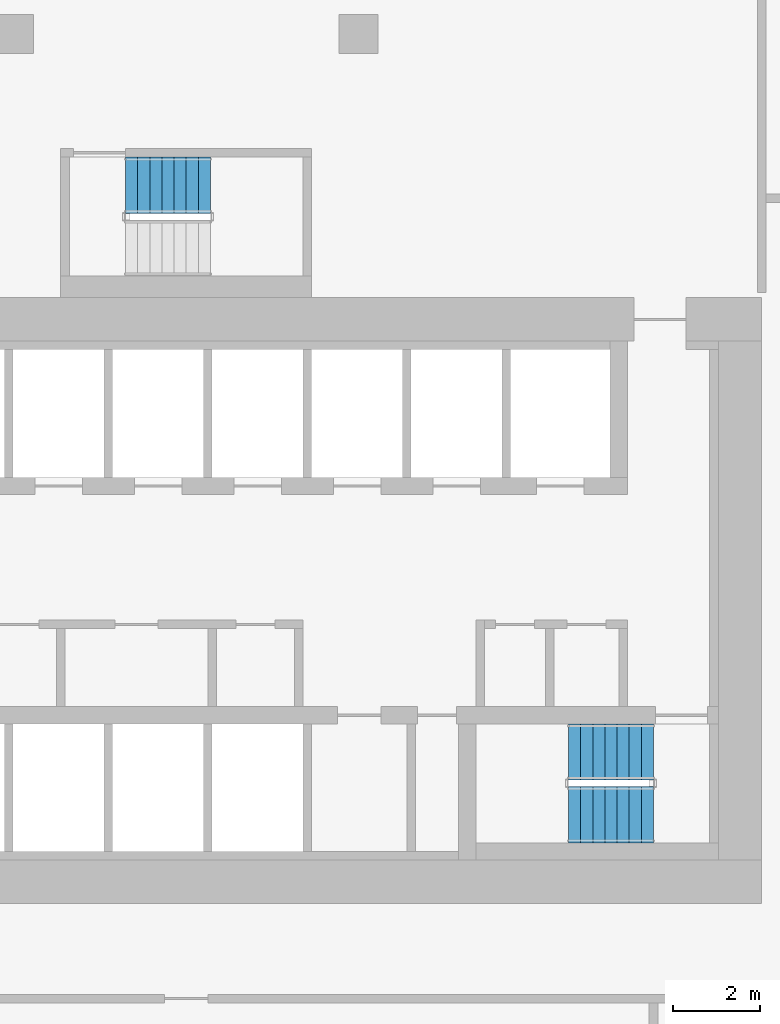
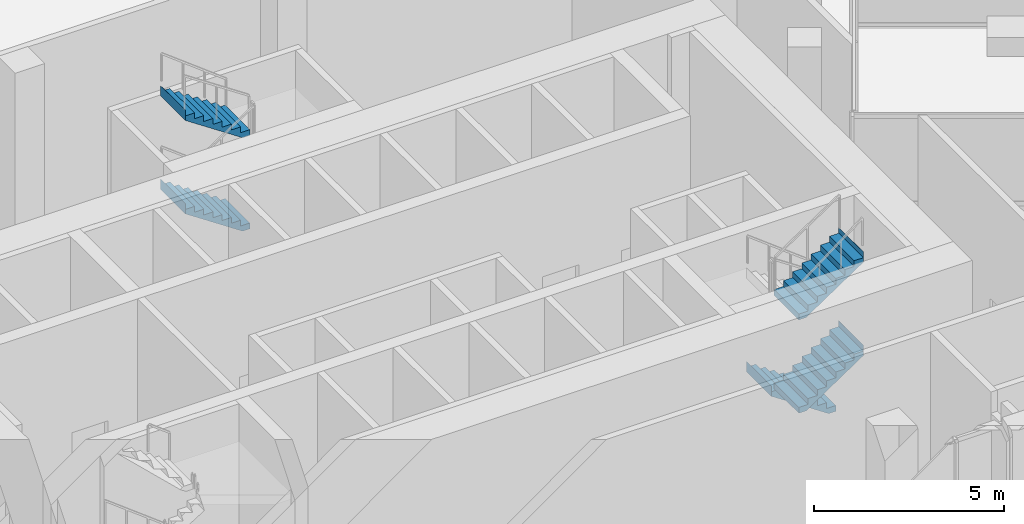
# One storey, part 17 of 23: 5 stair flights, 2 elements without a shape of their own.
"""IFC4 building model written with IfcOpenShell, lengths in metres."""

from ifc_helpers import new_model, si_unit, direction, frame, origin, place, context, subcontext, project, spatial, triangles, material, type_object, element, aggregate, save


model = new_model("IFC4")

# Units and contexts
model_context = context("Model", 3, precision=1e-05, world=origin(), true_north=direction((0.0, 1.0)))
body_context = subcontext(model_context, "Body", "Model", "MODEL_VIEW")
ifc_project = project(units=[si_unit("LENGTHUNIT", "METRE"), si_unit("AREAUNIT", "SQUARE_METRE"), si_unit("VOLUMEUNIT", "CUBIC_METRE"), si_unit("PLANEANGLEUNIT", "RADIAN"), si_unit("MASSUNIT", "GRAM", prefix="KILO")], contexts=[model_context])

# Site, building, storey
site_placement = place(None, origin())
site = spatial("IfcSite", under=ifc_project, at=site_placement, CompositionType="ELEMENT")
building_placement = place(site_placement, origin())
building = spatial("IfcBuilding", under=site, at=building_placement, Name="Beryl Residences", CompositionType="ELEMENT")
storey_placement = place(building_placement, frame((0.0, 0.0, 66.0)))
storey = spatial("IfcBuildingStorey", under=building, at=storey_placement, Name="L20", CompositionType="ELEMENT", Elevation=66.0)

# Stair, stair flights
ifc_material_1 = material(Name="Concrete C40/50", Category="concrete")
stair_type = type_object("IfcStairType", Name="ST1 protected exit stair, half-turn, 1300 mm flights", PredefinedType="HALF_TURN_STAIR", material=ifc_material_1)
stair_1_placement = place(storey_placement, origin())
stair_1 = element("IfcStair", 1, at=stair_1_placement, inside=storey, type_object=stair_type, Name="L20 PROTECTED EXIT STAIR ST-3", PredefinedType="HALF_TURN_STAIR")
ifc_material_2 = material(Name="Concrete C40/50", Category="concrete")
stair_flight_type = type_object("IfcStairFlightType", Name="SF1 stair flight 1300 mm", PredefinedType="STRAIGHT", material=ifc_material_2)
stair_flight_1_placement = place(storey_placement, frame((10.800048828125, -15.5, 0.0), z_axis=(0.0, 0.0, 1.0), x_axis=(-1.0, 0.0, 0.0)))
stair_flight_1 = element("IfcStairFlight", 2, at=stair_flight_1_placement, type_object=stair_flight_type, Name="ST-3 flight 1", NumberOfRisers=8, NumberOfTreads=7, PredefinedType="STRAIGHT", RiserHeight=0.1875, TreadLength=0.28, context=body_context, shape_type="Tessellation", body=[
    triangles([(0.0, -0.64990234375, 0.0), (0.0, -0.324951171875, 0.0), (0.0, 0.0, 0.0), (0.0, 0.324951171875, 0.0), (0.0, 0.64990234375, 0.0), (0.0, -0.64990234375, 0.1875), (0.0, -0.324951171875, 0.1875), (0.0, 0.0, 0.1875), (0.0, 0.324951171875, 0.1875), (0.0, 0.64990234375, 0.1875), (0.280029296875, -0.64990234375, 0.1875), (0.280029296875, -0.324951171875, 0.1875), (0.280029296875, 0.0, 0.1875), (0.280029296875, 0.324951171875, 0.1875), (0.280029296875, 0.64990234375, 0.1875), (0.280029296875, -0.64990234375, 0.375), (0.280029296875, -0.324951171875, 0.375), (0.280029296875, 0.0, 0.375), (0.280029296875, 0.324951171875, 0.375), (0.280029296875, 0.64990234375, 0.375), (0.56005859375, -0.64990234375, 0.375), (0.56005859375, -0.324951171875, 0.375), (0.56005859375, 0.0, 0.375), (0.56005859375, 0.324951171875, 0.375), (0.56005859375, 0.64990234375, 0.375), (0.56005859375, -0.64990234375, 0.5625), (0.56005859375, -0.324951171875, 0.5625), (0.56005859375, 0.0, 0.5625), (0.56005859375, 0.324951171875, 0.5625), (0.56005859375, 0.64990234375, 0.5625), (0.840087890625, -0.64990234375, 0.5625), (0.840087890625, -0.324951171875, 0.5625), (0.840087890625, 0.0, 0.5625), (0.840087890625, 0.324951171875, 0.5625), (0.840087890625, 0.64990234375, 0.5625), (0.840087890625, -0.64990234375, 0.75), (0.840087890625, -0.324951171875, 0.75), (0.840087890625, 0.0, 0.75), (0.840087890625, 0.324951171875, 0.75), (0.840087890625, 0.64990234375, 0.75), (1.1201171875, -0.64990234375, 0.75), (1.1201171875, -0.324951171875, 0.75), (1.1201171875, 0.0, 0.75), (1.1201171875, 0.324951171875, 0.75), (1.1201171875, 0.64990234375, 0.75), (1.1201171875, -0.64990234375, 0.9375), (1.1201171875, -0.324951171875, 0.9375), (1.1201171875, 0.0, 0.9375), (1.1201171875, 0.324951171875, 0.9375), (1.1201171875, 0.64990234375, 0.9375), (1.39990234375, -0.64990234375, 0.9375), (1.39990234375, -0.324951171875, 0.9375), (1.39990234375, 0.0, 0.9375), (1.39990234375, 0.324951171875, 0.9375), (1.39990234375, 0.64990234375, 0.9375), (1.39990234375, -0.64990234375, 1.125), (1.39990234375, -0.324951171875, 1.125), (1.39990234375, 0.0, 1.125), (1.39990234375, 0.324951171875, 1.125), (1.39990234375, 0.64990234375, 1.125), (1.679931640625, -0.64990234375, 1.125), (1.679931640625, -0.324951171875, 1.125), (1.679931640625, 0.0, 1.125), (1.679931640625, 0.324951171875, 1.125), (1.679931640625, 0.64990234375, 1.125), (1.679931640625, -0.64990234375, 1.3125), (1.679931640625, -0.324951171875, 1.3125), (1.679931640625, 0.0, 1.3125), (1.679931640625, 0.324951171875, 1.3125), (1.679931640625, 0.64990234375, 1.3125), (1.9599609375, -0.64990234375, 1.3125), (1.9599609375, -0.324951171875, 1.3125), (1.9599609375, 0.0, 1.3125), (1.9599609375, 0.324951171875, 1.3125), (1.9599609375, 0.64990234375, 1.3125), (1.9599609375, -0.64990234375, 1.5), (1.9599609375, -0.324951171875, 1.5), (1.9599609375, 0.0, 1.5), (1.9599609375, 0.324951171875, 1.5), (1.9599609375, 0.64990234375, 1.5), (1.9609375, -0.64990234375, 1.5), (1.9609375, -0.324951171875, 1.5), (1.9609375, 0.0, 1.5), (1.9609375, 0.324951171875, 1.5), (1.9609375, 0.64990234375, 1.5), (1.9609375, -0.64990234375, 1.16796875), (1.9609375, -0.324951171875, 1.16796875), (1.9609375, 0.0, 1.16796875), (1.9609375, 0.324951171875, 1.16796875), (1.9609375, 0.64990234375, 1.16796875), (0.216796875, -0.64990234375, 0.0), (0.216796875, -0.324951171875, 0.0), (0.216796875, 0.0, 0.0), (0.216796875, 0.324951171875, 0.0), (0.216796875, 0.64990234375, 0.0)], [[1, 6, 7], [1, 7, 2], [2, 7, 8], [2, 8, 3], [3, 8, 9], [3, 9, 4], [4, 9, 10], [4, 10, 5], [6, 11, 12], [6, 12, 7], [7, 12, 13], [7, 13, 8], [8, 13, 14], [8, 14, 9], [9, 14, 15], [9, 15, 10], [11, 16, 17], [11, 17, 12], [12, 17, 18], [12, 18, 13], [13, 18, 19], [13, 19, 14], [14, 19, 20], [14, 20, 15], [16, 21, 22], [16, 22, 17], [17, 22, 23], [17, 23, 18], [18, 23, 24], [18, 24, 19], [19, 24, 25], [19, 25, 20], [21, 26, 27], [21, 27, 22], [22, 27, 28], [22, 28, 23], [23, 28, 29], [23, 29, 24], [24, 29, 30], [24, 30, 25], [26, 31, 32], [26, 32, 27], [27, 32, 33], [27, 33, 28], [28, 33, 34], [28, 34, 29], [29, 34, 35], [29, 35, 30], [31, 36, 37], [31, 37, 32], [32, 37, 38], [32, 38, 33], [33, 38, 39], [33, 39, 34], [34, 39, 40], [34, 40, 35], [36, 41, 42], [36, 42, 37], [37, 42, 43], [37, 43, 38], [38, 43, 44], [38, 44, 39], [39, 44, 45], [39, 45, 40], [41, 46, 47], [41, 47, 42], [42, 47, 48], [42, 48, 43], [43, 48, 49], [43, 49, 44], [44, 49, 50], [44, 50, 45], [46, 51, 52], [46, 52, 47], [47, 52, 53], [47, 53, 48], [48, 53, 54], [48, 54, 49], [49, 54, 55], [49, 55, 50], [51, 56, 57], [51, 57, 52], [52, 57, 58], [52, 58, 53], [53, 58, 59], [53, 59, 54], [54, 59, 60], [54, 60, 55], [56, 61, 62], [56, 62, 57], [57, 62, 63], [57, 63, 58], [58, 63, 64], [58, 64, 59], [59, 64, 65], [59, 65, 60], [61, 66, 67], [61, 67, 62], [62, 67, 68], [62, 68, 63], [63, 68, 69], [63, 69, 64], [64, 69, 70], [64, 70, 65], [66, 71, 72], [66, 72, 67], [67, 72, 73], [67, 73, 68], [68, 73, 74], [68, 74, 69], [69, 74, 75], [69, 75, 70], [71, 76, 77], [71, 77, 72], [72, 77, 78], [72, 78, 73], [73, 78, 79], [73, 79, 74], [74, 79, 80], [74, 80, 75], [76, 81, 82], [76, 82, 77], [77, 82, 83], [77, 83, 78], [78, 83, 84], [78, 84, 79], [79, 84, 85], [79, 85, 80], [81, 86, 87], [81, 87, 82], [82, 87, 88], [82, 88, 83], [83, 88, 89], [83, 89, 84], [84, 89, 90], [84, 90, 85], [86, 91, 92], [86, 92, 87], [87, 92, 93], [87, 93, 88], [88, 93, 94], [88, 94, 89], [89, 94, 95], [89, 95, 90], [91, 1, 2], [91, 2, 92], [92, 2, 3], [92, 3, 93], [93, 3, 4], [93, 4, 94], [94, 4, 5], [94, 5, 95], [1, 91, 86], [5, 90, 95], [86, 81, 76], [90, 80, 85], [86, 76, 71], [90, 75, 80], [86, 71, 66], [90, 70, 75], [86, 66, 61], [90, 65, 70], [61, 56, 51], [65, 55, 60], [86, 61, 51], [90, 55, 65], [51, 46, 41], [55, 45, 50], [86, 51, 41], [90, 45, 55], [41, 36, 31], [45, 35, 40], [86, 41, 31], [90, 35, 45], [31, 26, 21], [35, 25, 30], [86, 31, 21], [90, 25, 35], [21, 16, 11], [25, 15, 20], [86, 21, 11], [90, 15, 25], [1, 86, 11], [5, 15, 90], [11, 6, 1], [15, 5, 10]], closed=True),
])
stair_flight_2_placement = place(storey_placement, frame((8.840087890625, -16.949951171875, 1.5), z_axis=(0.0, 0.0, 1.0), x_axis=(1.0, 0.0, 0.0)))
stair_flight_2 = element("IfcStairFlight", 3, at=stair_flight_2_placement, type_object=stair_flight_type, Name="ST-3 flight 2", NumberOfRisers=8, NumberOfTreads=7, PredefinedType="STRAIGHT", RiserHeight=0.1875, TreadLength=0.28, context=body_context, shape_type="Tessellation", body=[
    triangles([(0.0, -0.64990234375, 0.0), (0.0, -0.324951171875, 0.0), (0.0, 0.0, 0.0), (0.0, 0.324951171875, 0.0), (0.0, 0.64990234375, 0.0), (0.0, -0.64990234375, 0.1875), (0.0, -0.324951171875, 0.1875), (0.0, 0.0, 0.1875), (0.0, 0.324951171875, 0.1875), (0.0, 0.64990234375, 0.1875), (0.280029296875, -0.64990234375, 0.1875), (0.280029296875, -0.324951171875, 0.1875), (0.280029296875, 0.0, 0.1875), (0.280029296875, 0.324951171875, 0.1875), (0.280029296875, 0.64990234375, 0.1875), (0.280029296875, -0.64990234375, 0.375), (0.280029296875, -0.324951171875, 0.375), (0.280029296875, 0.0, 0.375), (0.280029296875, 0.324951171875, 0.375), (0.280029296875, 0.64990234375, 0.375), (0.56005859375, -0.64990234375, 0.375), (0.56005859375, -0.324951171875, 0.375), (0.56005859375, 0.0, 0.375), (0.56005859375, 0.324951171875, 0.375), (0.56005859375, 0.64990234375, 0.375), (0.56005859375, -0.64990234375, 0.5625), (0.56005859375, -0.324951171875, 0.5625), (0.56005859375, 0.0, 0.5625), (0.56005859375, 0.324951171875, 0.5625), (0.56005859375, 0.64990234375, 0.5625), (0.840087890625, -0.64990234375, 0.5625), (0.840087890625, -0.324951171875, 0.5625), (0.840087890625, 0.0, 0.5625), (0.840087890625, 0.324951171875, 0.5625), (0.840087890625, 0.64990234375, 0.5625), (0.840087890625, -0.64990234375, 0.75), (0.840087890625, -0.324951171875, 0.75), (0.840087890625, 0.0, 0.75), (0.840087890625, 0.324951171875, 0.75), (0.840087890625, 0.64990234375, 0.75), (1.1201171875, -0.64990234375, 0.75), (1.1201171875, -0.324951171875, 0.75), (1.1201171875, 0.0, 0.75), (1.1201171875, 0.324951171875, 0.75), (1.1201171875, 0.64990234375, 0.75), (1.1201171875, -0.64990234375, 0.9375), (1.1201171875, -0.324951171875, 0.9375), (1.1201171875, 0.0, 0.9375), (1.1201171875, 0.324951171875, 0.9375), (1.1201171875, 0.64990234375, 0.9375), (1.39990234375, -0.64990234375, 0.9375), (1.39990234375, -0.324951171875, 0.9375), (1.39990234375, 0.0, 0.9375), (1.39990234375, 0.324951171875, 0.9375), (1.39990234375, 0.64990234375, 0.9375), (1.39990234375, -0.64990234375, 1.125), (1.39990234375, -0.324951171875, 1.125), (1.39990234375, 0.0, 1.125), (1.39990234375, 0.324951171875, 1.125), (1.39990234375, 0.64990234375, 1.125), (1.679931640625, -0.64990234375, 1.125), (1.679931640625, -0.324951171875, 1.125), (1.679931640625, 0.0, 1.125), (1.679931640625, 0.324951171875, 1.125), (1.679931640625, 0.64990234375, 1.125), (1.679931640625, -0.64990234375, 1.3125), (1.679931640625, -0.324951171875, 1.3125), (1.679931640625, 0.0, 1.3125), (1.679931640625, 0.324951171875, 1.3125), (1.679931640625, 0.64990234375, 1.3125), (1.9599609375, -0.64990234375, 1.3125), (1.9599609375, -0.324951171875, 1.3125), (1.9599609375, 0.0, 1.3125), (1.9599609375, 0.324951171875, 1.3125), (1.9599609375, 0.64990234375, 1.3125), (1.9599609375, -0.64990234375, 1.5), (1.9599609375, -0.324951171875, 1.5), (1.9599609375, 0.0, 1.5), (1.9599609375, 0.324951171875, 1.5), (1.9599609375, 0.64990234375, 1.5), (1.9609375, -0.64990234375, 1.5), (1.9609375, -0.324951171875, 1.5), (1.9609375, 0.0, 1.5), (1.9609375, 0.324951171875, 1.5), (1.9609375, 0.64990234375, 1.5), (1.9609375, -0.64990234375, 1.16796875), (1.9609375, -0.324951171875, 1.16796875), (1.9609375, 0.0, 1.16796875), (1.9609375, 0.324951171875, 1.16796875), (1.9609375, 0.64990234375, 1.16796875), (0.216796875, -0.64990234375, 0.0), (0.216796875, -0.324951171875, 0.0), (0.216796875, 0.0, 0.0), (0.216796875, 0.324951171875, 0.0), (0.216796875, 0.64990234375, 0.0)], [[1, 6, 7], [1, 7, 2], [2, 7, 8], [2, 8, 3], [3, 8, 9], [3, 9, 4], [4, 9, 10], [4, 10, 5], [6, 11, 12], [6, 12, 7], [7, 12, 13], [7, 13, 8], [8, 13, 14], [8, 14, 9], [9, 14, 15], [9, 15, 10], [11, 16, 17], [11, 17, 12], [12, 17, 18], [12, 18, 13], [13, 18, 19], [13, 19, 14], [14, 19, 20], [14, 20, 15], [16, 21, 22], [16, 22, 17], [17, 22, 23], [17, 23, 18], [18, 23, 24], [18, 24, 19], [19, 24, 25], [19, 25, 20], [21, 26, 27], [21, 27, 22], [22, 27, 28], [22, 28, 23], [23, 28, 29], [23, 29, 24], [24, 29, 30], [24, 30, 25], [26, 31, 32], [26, 32, 27], [27, 32, 33], [27, 33, 28], [28, 33, 34], [28, 34, 29], [29, 34, 35], [29, 35, 30], [31, 36, 37], [31, 37, 32], [32, 37, 38], [32, 38, 33], [33, 38, 39], [33, 39, 34], [34, 39, 40], [34, 40, 35], [36, 41, 42], [36, 42, 37], [37, 42, 43], [37, 43, 38], [38, 43, 44], [38, 44, 39], [39, 44, 45], [39, 45, 40], [41, 46, 47], [41, 47, 42], [42, 47, 48], [42, 48, 43], [43, 48, 49], [43, 49, 44], [44, 49, 50], [44, 50, 45], [46, 51, 52], [46, 52, 47], [47, 52, 53], [47, 53, 48], [48, 53, 54], [48, 54, 49], [49, 54, 55], [49, 55, 50], [51, 56, 57], [51, 57, 52], [52, 57, 58], [52, 58, 53], [53, 58, 59], [53, 59, 54], [54, 59, 60], [54, 60, 55], [56, 61, 62], [56, 62, 57], [57, 62, 63], [57, 63, 58], [58, 63, 64], [58, 64, 59], [59, 64, 65], [59, 65, 60], [61, 66, 67], [61, 67, 62], [62, 67, 68], [62, 68, 63], [63, 68, 69], [63, 69, 64], [64, 69, 70], [64, 70, 65], [66, 71, 72], [66, 72, 67], [67, 72, 73], [67, 73, 68], [68, 73, 74], [68, 74, 69], [69, 74, 75], [69, 75, 70], [71, 76, 77], [71, 77, 72], [72, 77, 78], [72, 78, 73], [73, 78, 79], [73, 79, 74], [74, 79, 80], [74, 80, 75], [76, 81, 82], [76, 82, 77], [77, 82, 83], [77, 83, 78], [78, 83, 84], [78, 84, 79], [79, 84, 85], [79, 85, 80], [81, 86, 87], [81, 87, 82], [82, 87, 88], [82, 88, 83], [83, 88, 89], [83, 89, 84], [84, 89, 90], [84, 90, 85], [86, 91, 92], [86, 92, 87], [87, 92, 93], [87, 93, 88], [88, 93, 94], [88, 94, 89], [89, 94, 95], [89, 95, 90], [91, 1, 2], [91, 2, 92], [92, 2, 3], [92, 3, 93], [93, 3, 4], [93, 4, 94], [94, 4, 5], [94, 5, 95], [1, 91, 86], [5, 90, 95], [86, 81, 76], [90, 80, 85], [86, 76, 71], [90, 75, 80], [86, 71, 66], [90, 70, 75], [86, 66, 61], [90, 65, 70], [61, 56, 51], [65, 55, 60], [86, 61, 51], [90, 55, 65], [51, 46, 41], [55, 45, 50], [86, 51, 41], [90, 45, 55], [41, 36, 31], [45, 35, 40], [86, 41, 31], [90, 35, 45], [31, 26, 21], [35, 25, 30], [86, 31, 21], [90, 25, 35], [21, 16, 11], [25, 15, 20], [86, 21, 11], [90, 15, 25], [1, 86, 11], [5, 15, 90], [11, 6, 1], [15, 5, 10]], closed=True),
])
stair_flight_3_placement = place(storey_placement, frame((8.840087890625, -16.949951171875, 4.5), z_axis=(0.0, 0.0, 1.0), x_axis=(1.0, 0.0, 0.0)))
stair_flight_3 = element("IfcStairFlight", 4, at=stair_flight_3_placement, type_object=stair_flight_type, Name="ST-3 flight 4", NumberOfRisers=8, NumberOfTreads=7, PredefinedType="STRAIGHT", RiserHeight=0.1875, TreadLength=0.28, context=body_context, shape_type="Tessellation", body=[
    triangles([(0.0, -0.64990234375, 0.0), (0.0, -0.324951171875, 0.0), (0.0, 0.0, 0.0), (0.0, 0.324951171875, 0.0), (0.0, 0.64990234375, 0.0), (0.0, -0.64990234375, 0.1875), (0.0, -0.324951171875, 0.1875), (0.0, 0.0, 0.1875), (0.0, 0.324951171875, 0.1875), (0.0, 0.64990234375, 0.1875), (0.280029296875, -0.64990234375, 0.1875), (0.280029296875, -0.324951171875, 0.1875), (0.280029296875, 0.0, 0.1875), (0.280029296875, 0.324951171875, 0.1875), (0.280029296875, 0.64990234375, 0.1875), (0.280029296875, -0.64990234375, 0.375), (0.280029296875, -0.324951171875, 0.375), (0.280029296875, 0.0, 0.375), (0.280029296875, 0.324951171875, 0.375), (0.280029296875, 0.64990234375, 0.375), (0.56005859375, -0.64990234375, 0.375), (0.56005859375, -0.324951171875, 0.375), (0.56005859375, 0.0, 0.375), (0.56005859375, 0.324951171875, 0.375), (0.56005859375, 0.64990234375, 0.375), (0.56005859375, -0.64990234375, 0.5625), (0.56005859375, -0.324951171875, 0.5625), (0.56005859375, 0.0, 0.5625), (0.56005859375, 0.324951171875, 0.5625), (0.56005859375, 0.64990234375, 0.5625), (0.840087890625, -0.64990234375, 0.5625), (0.840087890625, -0.324951171875, 0.5625), (0.840087890625, 0.0, 0.5625), (0.840087890625, 0.324951171875, 0.5625), (0.840087890625, 0.64990234375, 0.5625), (0.840087890625, -0.64990234375, 0.75), (0.840087890625, -0.324951171875, 0.75), (0.840087890625, 0.0, 0.75), (0.840087890625, 0.324951171875, 0.75), (0.840087890625, 0.64990234375, 0.75), (1.1201171875, -0.64990234375, 0.75), (1.1201171875, -0.324951171875, 0.75), (1.1201171875, 0.0, 0.75), (1.1201171875, 0.324951171875, 0.75), (1.1201171875, 0.64990234375, 0.75), (1.1201171875, -0.64990234375, 0.9375), (1.1201171875, -0.324951171875, 0.9375), (1.1201171875, 0.0, 0.9375), (1.1201171875, 0.324951171875, 0.9375), (1.1201171875, 0.64990234375, 0.9375), (1.39990234375, -0.64990234375, 0.9375), (1.39990234375, -0.324951171875, 0.9375), (1.39990234375, 0.0, 0.9375), (1.39990234375, 0.324951171875, 0.9375), (1.39990234375, 0.64990234375, 0.9375), (1.39990234375, -0.64990234375, 1.125), (1.39990234375, -0.324951171875, 1.125), (1.39990234375, 0.0, 1.125), (1.39990234375, 0.324951171875, 1.125), (1.39990234375, 0.64990234375, 1.125), (1.679931640625, -0.64990234375, 1.125), (1.679931640625, -0.324951171875, 1.125), (1.679931640625, 0.0, 1.125), (1.679931640625, 0.324951171875, 1.125), (1.679931640625, 0.64990234375, 1.125), (1.679931640625, -0.64990234375, 1.3125), (1.679931640625, -0.324951171875, 1.3125), (1.679931640625, 0.0, 1.3125), (1.679931640625, 0.324951171875, 1.3125), (1.679931640625, 0.64990234375, 1.3125), (1.9599609375, -0.64990234375, 1.3125), (1.9599609375, -0.324951171875, 1.3125), (1.9599609375, 0.0, 1.3125), (1.9599609375, 0.324951171875, 1.3125), (1.9599609375, 0.64990234375, 1.3125), (1.9599609375, -0.64990234375, 1.5), (1.9599609375, -0.324951171875, 1.5), (1.9599609375, 0.0, 1.5), (1.9599609375, 0.324951171875, 1.5), (1.9599609375, 0.64990234375, 1.5), (1.9609375, -0.64990234375, 1.5), (1.9609375, -0.324951171875, 1.5), (1.9609375, 0.0, 1.5), (1.9609375, 0.324951171875, 1.5), (1.9609375, 0.64990234375, 1.5), (1.9609375, -0.64990234375, 1.16796875), (1.9609375, -0.324951171875, 1.16796875), (1.9609375, 0.0, 1.16796875), (1.9609375, 0.324951171875, 1.16796875), (1.9609375, 0.64990234375, 1.16796875), (0.216796875, -0.64990234375, 0.0), (0.216796875, -0.324951171875, 0.0), (0.216796875, 0.0, 0.0), (0.216796875, 0.324951171875, 0.0), (0.216796875, 0.64990234375, 0.0)], [[1, 6, 7], [1, 7, 2], [2, 7, 8], [2, 8, 3], [3, 8, 9], [3, 9, 4], [4, 9, 10], [4, 10, 5], [6, 11, 12], [6, 12, 7], [7, 12, 13], [7, 13, 8], [8, 13, 14], [8, 14, 9], [9, 14, 15], [9, 15, 10], [11, 16, 17], [11, 17, 12], [12, 17, 18], [12, 18, 13], [13, 18, 19], [13, 19, 14], [14, 19, 20], [14, 20, 15], [16, 21, 22], [16, 22, 17], [17, 22, 23], [17, 23, 18], [18, 23, 24], [18, 24, 19], [19, 24, 25], [19, 25, 20], [21, 26, 27], [21, 27, 22], [22, 27, 28], [22, 28, 23], [23, 28, 29], [23, 29, 24], [24, 29, 30], [24, 30, 25], [26, 31, 32], [26, 32, 27], [27, 32, 33], [27, 33, 28], [28, 33, 34], [28, 34, 29], [29, 34, 35], [29, 35, 30], [31, 36, 37], [31, 37, 32], [32, 37, 38], [32, 38, 33], [33, 38, 39], [33, 39, 34], [34, 39, 40], [34, 40, 35], [36, 41, 42], [36, 42, 37], [37, 42, 43], [37, 43, 38], [38, 43, 44], [38, 44, 39], [39, 44, 45], [39, 45, 40], [41, 46, 47], [41, 47, 42], [42, 47, 48], [42, 48, 43], [43, 48, 49], [43, 49, 44], [44, 49, 50], [44, 50, 45], [46, 51, 52], [46, 52, 47], [47, 52, 53], [47, 53, 48], [48, 53, 54], [48, 54, 49], [49, 54, 55], [49, 55, 50], [51, 56, 57], [51, 57, 52], [52, 57, 58], [52, 58, 53], [53, 58, 59], [53, 59, 54], [54, 59, 60], [54, 60, 55], [56, 61, 62], [56, 62, 57], [57, 62, 63], [57, 63, 58], [58, 63, 64], [58, 64, 59], [59, 64, 65], [59, 65, 60], [61, 66, 67], [61, 67, 62], [62, 67, 68], [62, 68, 63], [63, 68, 69], [63, 69, 64], [64, 69, 70], [64, 70, 65], [66, 71, 72], [66, 72, 67], [67, 72, 73], [67, 73, 68], [68, 73, 74], [68, 74, 69], [69, 74, 75], [69, 75, 70], [71, 76, 77], [71, 77, 72], [72, 77, 78], [72, 78, 73], [73, 78, 79], [73, 79, 74], [74, 79, 80], [74, 80, 75], [76, 81, 82], [76, 82, 77], [77, 82, 83], [77, 83, 78], [78, 83, 84], [78, 84, 79], [79, 84, 85], [79, 85, 80], [81, 86, 87], [81, 87, 82], [82, 87, 88], [82, 88, 83], [83, 88, 89], [83, 89, 84], [84, 89, 90], [84, 90, 85], [86, 91, 92], [86, 92, 87], [87, 92, 93], [87, 93, 88], [88, 93, 94], [88, 94, 89], [89, 94, 95], [89, 95, 90], [91, 1, 2], [91, 2, 92], [92, 2, 3], [92, 3, 93], [93, 3, 4], [93, 4, 94], [94, 4, 5], [94, 5, 95], [1, 91, 86], [5, 90, 95], [86, 81, 76], [90, 80, 85], [86, 76, 71], [90, 75, 80], [86, 71, 66], [90, 70, 75], [86, 66, 61], [90, 65, 70], [61, 56, 51], [65, 55, 60], [86, 61, 51], [90, 55, 65], [51, 46, 41], [55, 45, 50], [86, 51, 41], [90, 45, 55], [41, 36, 31], [45, 35, 40], [86, 41, 31], [90, 35, 45], [31, 26, 21], [35, 25, 30], [86, 31, 21], [90, 25, 35], [21, 16, 11], [25, 15, 20], [86, 21, 11], [90, 15, 25], [1, 86, 11], [5, 15, 90], [11, 6, 1], [15, 5, 10]], closed=True),
])
aggregate(stair_1, [stair_flight_1, stair_flight_2, stair_flight_3])

stair_2_placement = place(storey_placement, origin())
stair_2 = element("IfcStair", 5, at=stair_2_placement, inside=storey, type_object=stair_type, Name="L20 PROTECTED EXIT STAIR ST-4", PredefinedType="HALF_TURN_STAIR")
stair_flight_4_placement = place(storey_placement, frame((0.56005859375, -2.39990234375, 1.5), z_axis=(0.0, 0.0, 1.0), x_axis=(-1.0, 0.0, 0.0)))
stair_flight_4 = element("IfcStairFlight", 6, at=stair_flight_4_placement, type_object=stair_flight_type, Name="ST-4 flight 2", NumberOfRisers=8, NumberOfTreads=7, PredefinedType="STRAIGHT", RiserHeight=0.1875, TreadLength=0.28, context=body_context, shape_type="Tessellation", body=[
    triangles([(0.0, -0.64990234375, 0.0), (0.0, -0.324951171875, 0.0), (0.0, 0.0, 0.0), (0.0, 0.324951171875, 0.0), (0.0, 0.64990234375, 0.0), (0.0, -0.64990234375, 0.1875), (0.0, -0.324951171875, 0.1875), (0.0, 0.0, 0.1875), (0.0, 0.324951171875, 0.1875), (0.0, 0.64990234375, 0.1875), (0.280029296875, -0.64990234375, 0.1875), (0.280029296875, -0.324951171875, 0.1875), (0.280029296875, 0.0, 0.1875), (0.280029296875, 0.324951171875, 0.1875), (0.280029296875, 0.64990234375, 0.1875), (0.280029296875, -0.64990234375, 0.375), (0.280029296875, -0.324951171875, 0.375), (0.280029296875, 0.0, 0.375), (0.280029296875, 0.324951171875, 0.375), (0.280029296875, 0.64990234375, 0.375), (0.56005859375, -0.64990234375, 0.375), (0.56005859375, -0.324951171875, 0.375), (0.56005859375, 0.0, 0.375), (0.56005859375, 0.324951171875, 0.375), (0.56005859375, 0.64990234375, 0.375), (0.56005859375, -0.64990234375, 0.5625), (0.56005859375, -0.324951171875, 0.5625), (0.56005859375, 0.0, 0.5625), (0.56005859375, 0.324951171875, 0.5625), (0.56005859375, 0.64990234375, 0.5625), (0.840087890625, -0.64990234375, 0.5625), (0.840087890625, -0.324951171875, 0.5625), (0.840087890625, 0.0, 0.5625), (0.840087890625, 0.324951171875, 0.5625), (0.840087890625, 0.64990234375, 0.5625), (0.840087890625, -0.64990234375, 0.75), (0.840087890625, -0.324951171875, 0.75), (0.840087890625, 0.0, 0.75), (0.840087890625, 0.324951171875, 0.75), (0.840087890625, 0.64990234375, 0.75), (1.1201171875, -0.64990234375, 0.75), (1.1201171875, -0.324951171875, 0.75), (1.1201171875, 0.0, 0.75), (1.1201171875, 0.324951171875, 0.75), (1.1201171875, 0.64990234375, 0.75), (1.1201171875, -0.64990234375, 0.9375), (1.1201171875, -0.324951171875, 0.9375), (1.1201171875, 0.0, 0.9375), (1.1201171875, 0.324951171875, 0.9375), (1.1201171875, 0.64990234375, 0.9375), (1.39990234375, -0.64990234375, 0.9375), (1.39990234375, -0.324951171875, 0.9375), (1.39990234375, 0.0, 0.9375), (1.39990234375, 0.324951171875, 0.9375), (1.39990234375, 0.64990234375, 0.9375), (1.39990234375, -0.64990234375, 1.125), (1.39990234375, -0.324951171875, 1.125), (1.39990234375, 0.0, 1.125), (1.39990234375, 0.324951171875, 1.125), (1.39990234375, 0.64990234375, 1.125), (1.679931640625, -0.64990234375, 1.125), (1.679931640625, -0.324951171875, 1.125), (1.679931640625, 0.0, 1.125), (1.679931640625, 0.324951171875, 1.125), (1.679931640625, 0.64990234375, 1.125), (1.679931640625, -0.64990234375, 1.3125), (1.679931640625, -0.324951171875, 1.3125), (1.679931640625, 0.0, 1.3125), (1.679931640625, 0.324951171875, 1.3125), (1.679931640625, 0.64990234375, 1.3125), (1.9599609375, -0.64990234375, 1.3125), (1.9599609375, -0.324951171875, 1.3125), (1.9599609375, 0.0, 1.3125), (1.9599609375, 0.324951171875, 1.3125), (1.9599609375, 0.64990234375, 1.3125), (1.9599609375, -0.64990234375, 1.5), (1.9599609375, -0.324951171875, 1.5), (1.9599609375, 0.0, 1.5), (1.9599609375, 0.324951171875, 1.5), (1.9599609375, 0.64990234375, 1.5), (1.9609375, -0.64990234375, 1.5), (1.9609375, -0.324951171875, 1.5), (1.9609375, 0.0, 1.5), (1.9609375, 0.324951171875, 1.5), (1.9609375, 0.64990234375, 1.5), (1.9609375, -0.64990234375, 1.16796875), (1.9609375, -0.324951171875, 1.16796875), (1.9609375, 0.0, 1.16796875), (1.9609375, 0.324951171875, 1.16796875), (1.9609375, 0.64990234375, 1.16796875), (0.216796875, -0.64990234375, 0.0), (0.216796875, -0.324951171875, 0.0), (0.216796875, 0.0, 0.0), (0.216796875, 0.324951171875, 0.0), (0.216796875, 0.64990234375, 0.0)], [[1, 6, 7], [1, 7, 2], [2, 7, 8], [2, 8, 3], [3, 8, 9], [3, 9, 4], [4, 9, 10], [4, 10, 5], [6, 11, 12], [6, 12, 7], [7, 12, 13], [7, 13, 8], [8, 13, 14], [8, 14, 9], [9, 14, 15], [9, 15, 10], [11, 16, 17], [11, 17, 12], [12, 17, 18], [12, 18, 13], [13, 18, 19], [13, 19, 14], [14, 19, 20], [14, 20, 15], [16, 21, 22], [16, 22, 17], [17, 22, 23], [17, 23, 18], [18, 23, 24], [18, 24, 19], [19, 24, 25], [19, 25, 20], [21, 26, 27], [21, 27, 22], [22, 27, 28], [22, 28, 23], [23, 28, 29], [23, 29, 24], [24, 29, 30], [24, 30, 25], [26, 31, 32], [26, 32, 27], [27, 32, 33], [27, 33, 28], [28, 33, 34], [28, 34, 29], [29, 34, 35], [29, 35, 30], [31, 36, 37], [31, 37, 32], [32, 37, 38], [32, 38, 33], [33, 38, 39], [33, 39, 34], [34, 39, 40], [34, 40, 35], [36, 41, 42], [36, 42, 37], [37, 42, 43], [37, 43, 38], [38, 43, 44], [38, 44, 39], [39, 44, 45], [39, 45, 40], [41, 46, 47], [41, 47, 42], [42, 47, 48], [42, 48, 43], [43, 48, 49], [43, 49, 44], [44, 49, 50], [44, 50, 45], [46, 51, 52], [46, 52, 47], [47, 52, 53], [47, 53, 48], [48, 53, 54], [48, 54, 49], [49, 54, 55], [49, 55, 50], [51, 56, 57], [51, 57, 52], [52, 57, 58], [52, 58, 53], [53, 58, 59], [53, 59, 54], [54, 59, 60], [54, 60, 55], [56, 61, 62], [56, 62, 57], [57, 62, 63], [57, 63, 58], [58, 63, 64], [58, 64, 59], [59, 64, 65], [59, 65, 60], [61, 66, 67], [61, 67, 62], [62, 67, 68], [62, 68, 63], [63, 68, 69], [63, 69, 64], [64, 69, 70], [64, 70, 65], [66, 71, 72], [66, 72, 67], [67, 72, 73], [67, 73, 68], [68, 73, 74], [68, 74, 69], [69, 74, 75], [69, 75, 70], [71, 76, 77], [71, 77, 72], [72, 77, 78], [72, 78, 73], [73, 78, 79], [73, 79, 74], [74, 79, 80], [74, 80, 75], [76, 81, 82], [76, 82, 77], [77, 82, 83], [77, 83, 78], [78, 83, 84], [78, 84, 79], [79, 84, 85], [79, 85, 80], [81, 86, 87], [81, 87, 82], [82, 87, 88], [82, 88, 83], [83, 88, 89], [83, 89, 84], [84, 89, 90], [84, 90, 85], [86, 91, 92], [86, 92, 87], [87, 92, 93], [87, 93, 88], [88, 93, 94], [88, 94, 89], [89, 94, 95], [89, 95, 90], [91, 1, 2], [91, 2, 92], [92, 2, 3], [92, 3, 93], [93, 3, 4], [93, 4, 94], [94, 4, 5], [94, 5, 95], [1, 91, 86], [5, 90, 95], [86, 81, 76], [90, 80, 85], [86, 76, 71], [90, 75, 80], [86, 71, 66], [90, 70, 75], [86, 66, 61], [90, 65, 70], [61, 56, 51], [65, 55, 60], [86, 61, 51], [90, 55, 65], [51, 46, 41], [55, 45, 50], [86, 51, 41], [90, 45, 55], [41, 36, 31], [45, 35, 40], [86, 41, 31], [90, 35, 45], [31, 26, 21], [35, 25, 30], [86, 31, 21], [90, 25, 35], [21, 16, 11], [25, 15, 20], [86, 21, 11], [90, 15, 25], [1, 86, 11], [5, 15, 90], [11, 6, 1], [15, 5, 10]], closed=True),
])
stair_flight_5_placement = place(storey_placement, frame((0.56005859375, -2.39990234375, 4.5), z_axis=(0.0, 0.0, 1.0), x_axis=(-1.0, 0.0, 0.0)))
stair_flight_5 = element("IfcStairFlight", 7, at=stair_flight_5_placement, type_object=stair_flight_type, Name="ST-4 flight 4", NumberOfRisers=8, NumberOfTreads=7, PredefinedType="STRAIGHT", RiserHeight=0.1875, TreadLength=0.28, context=body_context, shape_type="Tessellation", body=[
    triangles([(0.0, -0.64990234375, 0.0), (0.0, -0.324951171875, 0.0), (0.0, 0.0, 0.0), (0.0, 0.324951171875, 0.0), (0.0, 0.64990234375, 0.0), (0.0, -0.64990234375, 0.1875), (0.0, -0.324951171875, 0.1875), (0.0, 0.0, 0.1875), (0.0, 0.324951171875, 0.1875), (0.0, 0.64990234375, 0.1875), (0.280029296875, -0.64990234375, 0.1875), (0.280029296875, -0.324951171875, 0.1875), (0.280029296875, 0.0, 0.1875), (0.280029296875, 0.324951171875, 0.1875), (0.280029296875, 0.64990234375, 0.1875), (0.280029296875, -0.64990234375, 0.375), (0.280029296875, -0.324951171875, 0.375), (0.280029296875, 0.0, 0.375), (0.280029296875, 0.324951171875, 0.375), (0.280029296875, 0.64990234375, 0.375), (0.56005859375, -0.64990234375, 0.375), (0.56005859375, -0.324951171875, 0.375), (0.56005859375, 0.0, 0.375), (0.56005859375, 0.324951171875, 0.375), (0.56005859375, 0.64990234375, 0.375), (0.56005859375, -0.64990234375, 0.5625), (0.56005859375, -0.324951171875, 0.5625), (0.56005859375, 0.0, 0.5625), (0.56005859375, 0.324951171875, 0.5625), (0.56005859375, 0.64990234375, 0.5625), (0.840087890625, -0.64990234375, 0.5625), (0.840087890625, -0.324951171875, 0.5625), (0.840087890625, 0.0, 0.5625), (0.840087890625, 0.324951171875, 0.5625), (0.840087890625, 0.64990234375, 0.5625), (0.840087890625, -0.64990234375, 0.75), (0.840087890625, -0.324951171875, 0.75), (0.840087890625, 0.0, 0.75), (0.840087890625, 0.324951171875, 0.75), (0.840087890625, 0.64990234375, 0.75), (1.1201171875, -0.64990234375, 0.75), (1.1201171875, -0.324951171875, 0.75), (1.1201171875, 0.0, 0.75), (1.1201171875, 0.324951171875, 0.75), (1.1201171875, 0.64990234375, 0.75), (1.1201171875, -0.64990234375, 0.9375), (1.1201171875, -0.324951171875, 0.9375), (1.1201171875, 0.0, 0.9375), (1.1201171875, 0.324951171875, 0.9375), (1.1201171875, 0.64990234375, 0.9375), (1.39990234375, -0.64990234375, 0.9375), (1.39990234375, -0.324951171875, 0.9375), (1.39990234375, 0.0, 0.9375), (1.39990234375, 0.324951171875, 0.9375), (1.39990234375, 0.64990234375, 0.9375), (1.39990234375, -0.64990234375, 1.125), (1.39990234375, -0.324951171875, 1.125), (1.39990234375, 0.0, 1.125), (1.39990234375, 0.324951171875, 1.125), (1.39990234375, 0.64990234375, 1.125), (1.679931640625, -0.64990234375, 1.125), (1.679931640625, -0.324951171875, 1.125), (1.679931640625, 0.0, 1.125), (1.679931640625, 0.324951171875, 1.125), (1.679931640625, 0.64990234375, 1.125), (1.679931640625, -0.64990234375, 1.3125), (1.679931640625, -0.324951171875, 1.3125), (1.679931640625, 0.0, 1.3125), (1.679931640625, 0.324951171875, 1.3125), (1.679931640625, 0.64990234375, 1.3125), (1.9599609375, -0.64990234375, 1.3125), (1.9599609375, -0.324951171875, 1.3125), (1.9599609375, 0.0, 1.3125), (1.9599609375, 0.324951171875, 1.3125), (1.9599609375, 0.64990234375, 1.3125), (1.9599609375, -0.64990234375, 1.5), (1.9599609375, -0.324951171875, 1.5), (1.9599609375, 0.0, 1.5), (1.9599609375, 0.324951171875, 1.5), (1.9599609375, 0.64990234375, 1.5), (1.9609375, -0.64990234375, 1.5), (1.9609375, -0.324951171875, 1.5), (1.9609375, 0.0, 1.5), (1.9609375, 0.324951171875, 1.5), (1.9609375, 0.64990234375, 1.5), (1.9609375, -0.64990234375, 1.16796875), (1.9609375, -0.324951171875, 1.16796875), (1.9609375, 0.0, 1.16796875), (1.9609375, 0.324951171875, 1.16796875), (1.9609375, 0.64990234375, 1.16796875), (0.216796875, -0.64990234375, 0.0), (0.216796875, -0.324951171875, 0.0), (0.216796875, 0.0, 0.0), (0.216796875, 0.324951171875, 0.0), (0.216796875, 0.64990234375, 0.0)], [[1, 6, 7], [1, 7, 2], [2, 7, 8], [2, 8, 3], [3, 8, 9], [3, 9, 4], [4, 9, 10], [4, 10, 5], [6, 11, 12], [6, 12, 7], [7, 12, 13], [7, 13, 8], [8, 13, 14], [8, 14, 9], [9, 14, 15], [9, 15, 10], [11, 16, 17], [11, 17, 12], [12, 17, 18], [12, 18, 13], [13, 18, 19], [13, 19, 14], [14, 19, 20], [14, 20, 15], [16, 21, 22], [16, 22, 17], [17, 22, 23], [17, 23, 18], [18, 23, 24], [18, 24, 19], [19, 24, 25], [19, 25, 20], [21, 26, 27], [21, 27, 22], [22, 27, 28], [22, 28, 23], [23, 28, 29], [23, 29, 24], [24, 29, 30], [24, 30, 25], [26, 31, 32], [26, 32, 27], [27, 32, 33], [27, 33, 28], [28, 33, 34], [28, 34, 29], [29, 34, 35], [29, 35, 30], [31, 36, 37], [31, 37, 32], [32, 37, 38], [32, 38, 33], [33, 38, 39], [33, 39, 34], [34, 39, 40], [34, 40, 35], [36, 41, 42], [36, 42, 37], [37, 42, 43], [37, 43, 38], [38, 43, 44], [38, 44, 39], [39, 44, 45], [39, 45, 40], [41, 46, 47], [41, 47, 42], [42, 47, 48], [42, 48, 43], [43, 48, 49], [43, 49, 44], [44, 49, 50], [44, 50, 45], [46, 51, 52], [46, 52, 47], [47, 52, 53], [47, 53, 48], [48, 53, 54], [48, 54, 49], [49, 54, 55], [49, 55, 50], [51, 56, 57], [51, 57, 52], [52, 57, 58], [52, 58, 53], [53, 58, 59], [53, 59, 54], [54, 59, 60], [54, 60, 55], [56, 61, 62], [56, 62, 57], [57, 62, 63], [57, 63, 58], [58, 63, 64], [58, 64, 59], [59, 64, 65], [59, 65, 60], [61, 66, 67], [61, 67, 62], [62, 67, 68], [62, 68, 63], [63, 68, 69], [63, 69, 64], [64, 69, 70], [64, 70, 65], [66, 71, 72], [66, 72, 67], [67, 72, 73], [67, 73, 68], [68, 73, 74], [68, 74, 69], [69, 74, 75], [69, 75, 70], [71, 76, 77], [71, 77, 72], [72, 77, 78], [72, 78, 73], [73, 78, 79], [73, 79, 74], [74, 79, 80], [74, 80, 75], [76, 81, 82], [76, 82, 77], [77, 82, 83], [77, 83, 78], [78, 83, 84], [78, 84, 79], [79, 84, 85], [79, 85, 80], [81, 86, 87], [81, 87, 82], [82, 87, 88], [82, 88, 83], [83, 88, 89], [83, 89, 84], [84, 89, 90], [84, 90, 85], [86, 91, 92], [86, 92, 87], [87, 92, 93], [87, 93, 88], [88, 93, 94], [88, 94, 89], [89, 94, 95], [89, 95, 90], [91, 1, 2], [91, 2, 92], [92, 2, 3], [92, 3, 93], [93, 3, 4], [93, 4, 94], [94, 4, 5], [94, 5, 95], [1, 91, 86], [5, 90, 95], [86, 81, 76], [90, 80, 85], [86, 76, 71], [90, 75, 80], [86, 71, 66], [90, 70, 75], [86, 66, 61], [90, 65, 70], [61, 56, 51], [65, 55, 60], [86, 61, 51], [90, 55, 65], [51, 46, 41], [55, 45, 50], [86, 51, 41], [90, 45, 55], [41, 36, 31], [45, 35, 40], [86, 41, 31], [90, 35, 45], [31, 26, 21], [35, 25, 30], [86, 31, 21], [90, 25, 35], [21, 16, 11], [25, 15, 20], [86, 21, 11], [90, 15, 25], [1, 86, 11], [5, 15, 90], [11, 6, 1], [15, 5, 10]], closed=True),
])
aggregate(stair_2, [stair_flight_4, stair_flight_5])

save(model, "model.ifc")
